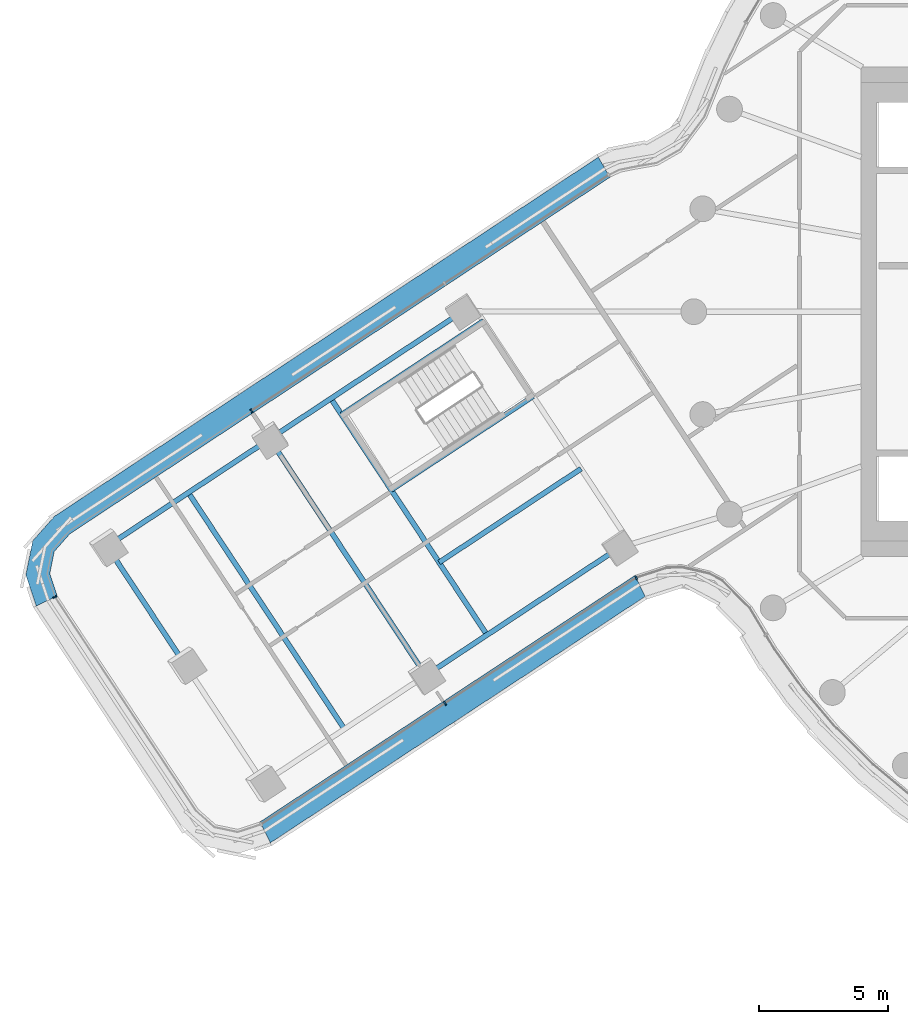
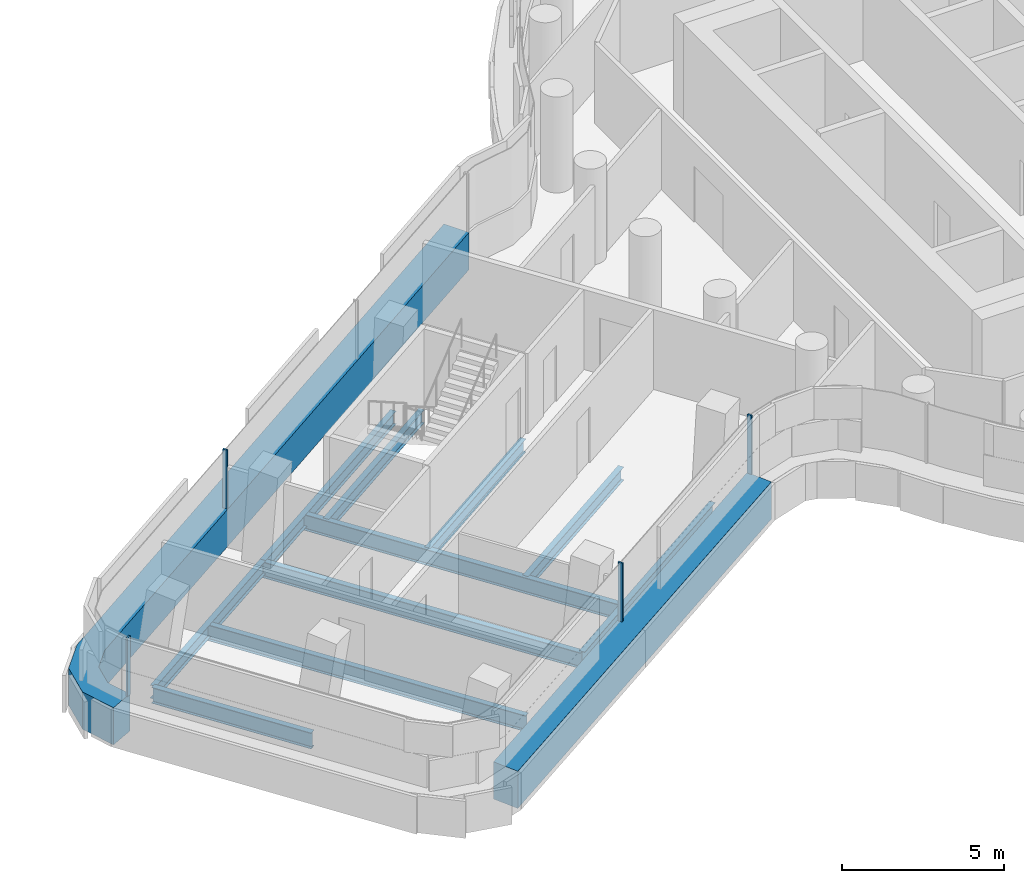
# One storey, part 8 of 35: 10 beams, 6 members, 4 elements without a shape of their own.
"""IFC4 building model written with IfcOpenShell, lengths in metres."""

import ifcopenshell
import ifcopenshell.guid

model = None  # the IFC model being written
_history = None  # IfcOwnerHistory: only IFC2X3 demands one
_inside = {}  # id of a spatial element -> (the spatial element, [elements in it])
_under = {}  # id of a project, library or spatial element -> (it, [spatial elements below it])
_declared = {}  # id of a project -> (the project, [libraries it declares])
_typed = {}  # id of a type object -> (the type object, [elements of that type])
_made_of = {}  # id of a material, layer set ... -> (it, [elements and type objects made of it])


def new_model(schema):
    """Start an empty IFC model of exactly this schema.

    Asked for "IFC4X3", IfcOpenShell would pick the latest addendum, in which some entities
    have other attributes; the version numbers below select the first issue.
    IFC2X3 requires an IfcOwnerHistory on every rooted entity: one is made here for all.
    """
    global model, _history
    if schema == "IFC4X3":
        model = ifcopenshell.file(schema_version=(4, 3, 0, 0))
    else:
        model = ifcopenshell.file(schema=schema)
    _inside.clear()
    _under.clear()
    _declared.clear()
    _typed.clear()
    _made_of.clear()
    _history = None
    if model.schema == "IFC2X3":
        org = make("IfcOrganization", Name="unknown")
        user = make(
            "IfcPersonAndOrganization",
            ThePerson=make("IfcPerson", FamilyName="unknown"),
            TheOrganization=org,
        )
        app = make(
            "IfcApplication",
            ApplicationDeveloper=org,
            Version="unknown",
            ApplicationFullName="unknown",
            ApplicationIdentifier="unknown",
        )
        _history = make(
            "IfcOwnerHistory",
            OwningUser=user,
            OwningApplication=app,
            ChangeAction="ADDED",
            CreationDate=0,
        )
    return model


def make(cls, **values):
    """One entity of the class cls with the attributes given. An attribute that is None is left unset."""
    return model.create_entity(
        cls, **{name: value for name, value in values.items() if value is not None}
    )


def rooted(cls, **values):
    """An entity with a GlobalId (a new one), such as an element, a storey or a relation."""
    return make(cls, GlobalId=ifcopenshell.guid.new(), OwnerHistory=_history, **values)


def si_unit(unit_type, name, prefix=None):
    """IfcSIUnit, for example si_unit("LENGTHUNIT", "METRE", prefix="MILLI")."""
    return make("IfcSIUnit", UnitType=unit_type, Prefix=prefix, Name=name)


def assignment(units):
    """IfcUnitAssignment: the units of a project."""
    return None if units is None else make("IfcUnitAssignment", Units=units)


def point(xyz):
    """IfcCartesianPoint."""
    return None if xyz is None else make("IfcCartesianPoint", Coordinates=xyz)


def direction(xyz):
    """IfcDirection."""
    return None if xyz is None else make("IfcDirection", DirectionRatios=xyz)


def frame(location, z_axis=None, x_axis=None):
    """IfcAxis2Placement3D, a coordinate frame: its origin and axes. An axis left out is left unset."""
    return make(
        "IfcAxis2Placement3D",
        Location=point(location),
        Axis=direction(z_axis),
        RefDirection=direction(x_axis),
    )


def frame_2d(location, x_axis=None):
    """IfcAxis2Placement2D, a coordinate frame in the plane: its origin and x axis."""
    return make(
        "IfcAxis2Placement2D", Location=point(location), RefDirection=direction(x_axis)
    )


def origin():
    """The frame at (0, 0, 0) with its axes left unset."""
    return frame((0.0, 0.0, 0.0))


def origin_2d():
    """The frame at (0, 0) in the plane with its x axis left unset."""
    return frame_2d((0.0, 0.0))


def place(relative_to, where):
    """IfcLocalPlacement: puts the frame where relative to a parent placement (None: the world)."""
    return make(
        "IfcLocalPlacement", PlacementRelTo=relative_to, RelativePlacement=where
    )


def context(
    kind, dimensions, precision=None, world=None, true_north=None, identifier=None
):
    """IfcGeometricRepresentationContext, for example the 3D "Model" context."""
    return make(
        "IfcGeometricRepresentationContext",
        ContextIdentifier=identifier,
        ContextType=kind,
        CoordinateSpaceDimension=dimensions,
        Precision=precision,
        WorldCoordinateSystem=world,
        TrueNorth=true_north,
    )


def subcontext(parent, identifier, kind, view, scale=None):
    """IfcGeometricRepresentationSubContext, for example "Body" below "Model"."""
    return make(
        "IfcGeometricRepresentationSubContext",
        ContextIdentifier=identifier,
        ContextType=kind,
        ParentContext=parent,
        TargetScale=scale,
        TargetView=view,
    )


def project(units=None, contexts=None):
    """IfcProject with its units and contexts."""
    return rooted(
        "IfcProject",
        Name="project",
        RepresentationContexts=contexts,
        UnitsInContext=assignment(units),
    )


def spatial(cls, under=None, at=None, **own):
    """A site, building, storey or space (cls), placed at a placement, below another one or the project."""
    s = rooted(cls, ObjectPlacement=at, **own)
    if under is not None:
        _under.setdefault(under.id(), (under, []))[1].append(s)
    return s


def polyline(points):
    """IfcPolyline through the points."""
    return make("IfcPolyline", Points=[point(p) for p in points])


def profile(cls, at=None, kind="AREA", **sizes):
    """A parametric profile (cls). Its sizes go by their IFC names, for example OverallWidth=200.0."""
    return make(cls, ProfileType=kind, Position=at, **sizes)


def rectangle(**sizes):
    """IfcRectangleProfileDef."""
    return profile("IfcRectangleProfileDef", **sizes)


def i_section(**sizes):
    """IfcIShapeProfileDef."""
    return profile("IfcIShapeProfileDef", **sizes)


def outline(outer, holes=None, kind="AREA"):
    """IfcArbitraryClosedProfileDef: a profile drawn as a closed curve; with holes, ...WithVoids."""
    if holes is None:
        return make("IfcArbitraryClosedProfileDef", ProfileType=kind, OuterCurve=outer)
    return make(
        "IfcArbitraryProfileDefWithVoids",
        ProfileType=kind,
        OuterCurve=outer,
        InnerCurves=holes,
    )


def extrude(swept, where, along, depth):
    """IfcExtrudedAreaSolid: the profile swept, set in the frame where, extruded along a direction by depth."""
    return make(
        "IfcExtrudedAreaSolid",
        SweptArea=swept,
        Position=where,
        ExtrudedDirection=direction(along),
        Depth=depth,
    )


def shape(context_of_items, identifier, shape_type, items):
    """IfcShapeRepresentation: the items that make up one representation, for example the "Body"."""
    return make(
        "IfcShapeRepresentation",
        ContextOfItems=context_of_items,
        RepresentationIdentifier=identifier,
        RepresentationType=shape_type,
        Items=items,
    )


def material(Name=None, Category=None):
    """IfcMaterial."""
    return make("IfcMaterial", Name=Name, Category=Category)


def layer(
    of_material, thickness, ventilated=None, Name=None, Category=None, Priority=None
):
    """IfcMaterialLayer: one layer of a wall or slab, of a material (None: an air gap)."""
    return make(
        "IfcMaterialLayer",
        Material=of_material,
        LayerThickness=thickness,
        IsVentilated=ventilated,
        Name=Name,
        Category=Category,
        Priority=Priority,
    )


def layer_set(layers, Name=None):
    """IfcMaterialLayerSet."""
    return make("IfcMaterialLayerSet", MaterialLayers=layers, LayerSetName=Name)


def material_profile(
    of_material, cross_section, Name=None, Category=None, Priority=None
):
    """IfcMaterialProfile: a cross section and its material."""
    return make(
        "IfcMaterialProfile",
        Name=Name,
        Material=of_material,
        Profile=cross_section,
        Priority=Priority,
        Category=Category,
    )


def profile_set(profiles, Name=None, composite=None):
    """IfcMaterialProfileSet."""
    return make(
        "IfcMaterialProfileSet",
        Name=Name,
        MaterialProfiles=profiles,
        CompositeProfile=composite,
    )


def made_of(thing, what):
    """Note that an element or type object is made of a material, layer set ...; save() writes the relation."""
    if what is not None:
        _made_of.setdefault(what.id(), (what, []))[1].append(thing)
    return thing


def type_object(cls, material=None, **own):
    """A type object (cls), such as IfcWallType, which elements share."""
    return made_of(rooted(cls, **own), material)


def element(
    cls,
    number,
    at=None,
    inside=None,
    cuts=None,
    type_object=None,
    material=None,
    context=None,
    identifier="Body",
    shape_type=None,
    held_by="IfcProductDefinitionShape",
    body=None,
    shapes=None,
    **own,
):
    """One element of the class cls, such as IfcWall. Its Tag is "e" and its number.

    at: its placement. inside: the storey or other place that contains it. cuts: it is an
    opening in that element (IfcRelVoidsElement). A single representation is given by context,
    identifier, shape_type and body (its items); several are given by shapes. held_by: the class
    of the entity that holds the representations. save() writes the other relations.
    """
    e = rooted(cls, Tag="e%d" % number, ObjectPlacement=at, **own)
    if body is not None:
        shapes = [shape(context, identifier, shape_type, body)]
    if shapes is not None:
        e.Representation = make(held_by, Representations=shapes)
    if inside is not None:
        _inside.setdefault(inside.id(), (inside, []))[1].append(e)
    if cuts is not None:
        rooted(
            "IfcRelVoidsElement", RelatingBuildingElement=cuts, RelatedOpeningElement=e
        )
    if type_object is not None:
        _typed.setdefault(type_object.id(), (type_object, []))[1].append(e)
    return made_of(e, material)


def aggregate(whole, parts):
    """IfcRelAggregates: a whole, such as a stair, and the parts it consists of."""
    return rooted("IfcRelAggregates", RelatingObject=whole, RelatedObjects=parts)


def save(model, path):
    """Write the relations noted so far, then the file.

    IfcRelAggregates (storeys below a building ...), IfcRelContainedInSpatialStructure (elements
    in a storey), IfcRelDefinesByType, IfcRelAssociatesMaterial and IfcRelDeclares: one each for
    every whole, place, type object, material and project.
    """
    for whole, parts in _under.values():
        aggregate(whole, parts)
    for where, things in _inside.values():
        rooted(
            "IfcRelContainedInSpatialStructure",
            RelatedElements=things,
            RelatingStructure=where,
        )
    for kind, things in _typed.values():
        rooted("IfcRelDefinesByType", RelatedObjects=things, RelatingType=kind)
    for what, things in _made_of.values():
        rooted("IfcRelAssociatesMaterial", RelatedObjects=things, RelatingMaterial=what)
    for by, libraries in _declared.values():
        rooted("IfcRelDeclares", RelatingContext=by, RelatedDefinitions=libraries)
    model.write(path)


model = new_model("IFC4")

# Units and contexts
model_context = context("Model", 3, precision=1e-05, world=origin(), true_north=direction((0.0, 1.0)))
body_context = subcontext(model_context, "Body", "Model", "MODEL_VIEW")
ifc_project = project(units=[si_unit("LENGTHUNIT", "METRE"), si_unit("AREAUNIT", "SQUARE_METRE"), si_unit("VOLUMEUNIT", "CUBIC_METRE"), si_unit("PLANEANGLEUNIT", "RADIAN"), si_unit("MASSUNIT", "GRAM", prefix="KILO")], contexts=[model_context])

# Site, building, storey
site_placement = place(None, origin())
site = spatial("IfcSite", under=ifc_project, at=site_placement, CompositionType="ELEMENT")
building_placement = place(site_placement, origin())
building = spatial("IfcBuilding", under=site, at=building_placement, Name="Tamarind Cross Interchange Tower", CompositionType="ELEMENT")
storey_placement = place(building_placement, frame((0.0, 0.0, 155.5)))
storey = spatial("IfcBuildingStorey", under=building, at=storey_placement, Name="L38", CompositionType="ELEMENT", Elevation=155.5)

# Beams
ifc_material_1 = material(Name="Steel Q355B", Category="steel")
ifc_material_profile_1 = material_profile(ifc_material_1, i_section(OverallWidth=0.198974609375, OverallDepth=0.49609375, WebThickness=0.009033203125, FlangeThickness=0.013916015625, FilletRadius=0.012939453125, at=origin_2d()), Name="HN 496x199x9x14")
ifc_profile_set_1 = profile_set([ifc_material_profile_1], Name="Steel Q355B")
beam_type_1 = type_object("IfcBeamType", Name="Composite beam HN 496x199x9x14 Q355B", PredefinedType="BEAM", material=ifc_profile_set_1)
beam_1_placement = place(storey_placement, frame((-45.78271484375, -9.111328125, -0.387939453125), z_axis=(0.83452366683, 0.550972095029, 0.0), x_axis=(-0.550972095029, 0.83452366683, 0.0)))
element("IfcBeam", 1, at=beam_1_placement, inside=storey, type_object=beam_type_1, Name="Beam W-edgeem5", PredefinedType="BEAM", context=body_context, shape_type="SweptSolid", body=[
    extrude(i_section(OverallWidth=0.198974609375, OverallDepth=0.49609375, WebThickness=0.009033203125, FlangeThickness=0.013916015625, FilletRadius=0.012939453125, at=origin_2d()), origin(), (0.0, 0.0, 1.0), 7.5673828125),
])
for number, where, z_axis, x_axis, name in (
    (2, (-39.467529296875, -4.94189453125, -0.387939453125), (0.8345250917, 0.550969936859, 0.0), (-0.550969936859, 0.8345250917, 0.0), "Beam W-edgeem6"),
    (3, (-33.406982421875, -14.12158203125, -0.387939453125), (0.8345250917, 0.550969936859, 0.0), (-0.550969936859, 0.8345250917, 0.0), "Beam W-edgeep3"),
):
    element("IfcBeam", number, at=place(storey_placement, frame(where, z_axis=z_axis, x_axis=x_axis)), inside=storey, type_object=beam_type_1, Name=name, PredefinedType="BEAM", context=body_context, shape_type="SweptSolid", body=[
        extrude(i_section(OverallWidth=0.198974609375, OverallDepth=0.49609375, WebThickness=0.009033203125, FlangeThickness=0.013916015625, FilletRadius=0.012939453125, at=origin_2d()), origin(), (0.0, 0.0, 1.0), 9.0),
    ])
for number, where, z_axis, x_axis, name in (
    (4, (-31.168212890625, -0.361083984375, -0.387939453125), (-0.83451756157, -0.55098134218, 0.0), (0.55098134218, -0.83451756157, 0.0), "Beam W-tr0"),
    (5, (-29.23974609375, -3.281982421875, -0.387939453125), (-0.83451756157, -0.55098134218, 0.0), (0.55098134218, -0.83451756157, 0.0), "Beam W-tr1"),
    (6, (-27.380126953125, -6.098388671875, -0.387939453125), (-0.834528790802, -0.550964333984, 0.0), (0.550964333984, -0.834528790802, 0.0), "Beam W-stripp"),
):
    element("IfcBeam", number, at=place(storey_placement, frame(where, z_axis=z_axis, x_axis=x_axis)), inside=storey, type_object=beam_type_1, Name=name, PredefinedType="BEAM", context=body_context, shape_type="SweptSolid", body=[
        extrude(i_section(OverallWidth=0.198974609375, OverallDepth=0.49609375, WebThickness=0.009033203125, FlangeThickness=0.013916015625, FilletRadius=0.012939453125, at=origin_2d()), origin(), (0.0, 0.0, 1.0), 6.60009765625),
    ])
ifc_material_profile_2 = material_profile(ifc_material_1, i_section(OverallWidth=0.199951171875, OverallDepth=0.60009765625, WebThickness=0.010986328125, FlangeThickness=0.01708984375, FilletRadius=0.012939453125, at=origin_2d()), Name="HN 600x200x11x17")
ifc_profile_set_2 = profile_set([ifc_material_profile_2], Name="Steel Q355B")
beam_type_2 = type_object("IfcBeamType", Name="Composite beam HN 600x200x11x17 Q355B", PredefinedType="BEAM", material=ifc_profile_set_2)
beam_2_placement = place(storey_placement, frame((-45.78271484375, -9.111328125, -0.43994140625), z_axis=(0.550965885132, -0.834527766716, 0.0), x_axis=(0.834527766716, 0.550965885132, 0.0)))
element("IfcBeam", 7, at=beam_2_placement, inside=storey, type_object=beam_type_2, Name="Beam W-tip0", PredefinedType="BEAM", context=body_context, shape_type="SweptSolid", body=[
    extrude(i_section(OverallWidth=0.199951171875, OverallDepth=0.60009765625, WebThickness=0.010986328125, FlangeThickness=0.01708984375, FilletRadius=0.012939453125, at=origin_2d()), origin(), (0.0, 0.0, 1.0), 5.5),
])
beam_3_placement = place(storey_placement, frame((-37.089111328125, -3.37158203125, -0.43994140625), z_axis=(0.550955680152, -0.834534504085, 0.0), x_axis=(0.834534504085, 0.550955680152, 0.0)))
element("IfcBeam", 8, at=beam_3_placement, inside=storey, type_object=beam_type_2, Name="Beam W-x364", PredefinedType="BEAM", context=body_context, shape_type="SweptSolid", body=[
    extrude(i_section(OverallWidth=0.199951171875, OverallDepth=0.60009765625, WebThickness=0.010986328125, FlangeThickness=0.01708984375, FilletRadius=0.012939453125, at=origin_2d()), origin(), (0.0, 0.0, 1.0), 11.0),
])
beam_4_placement = place(storey_placement, frame((-39.467529296875, -4.94189453125, -0.43994140625), z_axis=(0.550965885132, -0.834527766716, 0.0), x_axis=(0.834527766716, 0.550965885132, 0.0)))
element("IfcBeam", 9, at=beam_4_placement, inside=storey, type_object=beam_type_2, Name="Beam W-x393", PredefinedType="BEAM", context=body_context, shape_type="SweptSolid", body=[
    extrude(i_section(OverallWidth=0.199951171875, OverallDepth=0.60009765625, WebThickness=0.010986328125, FlangeThickness=0.01708984375, FilletRadius=0.012939453125, at=origin_2d()), origin(), (0.0, 0.0, 1.0), 10.999755859375),
])
beam_5_placement = place(storey_placement, frame((-42.625244140625, -7.026611328125, -0.43994140625), z_axis=(0.55098134218, -0.83451756157, 0.0), x_axis=(0.83451756157, 0.55098134218, 0.0)))
element("IfcBeam", 10, at=beam_5_placement, inside=storey, type_object=beam_type_2, Name="Beam W-x431", PredefinedType="BEAM", context=body_context, shape_type="SweptSolid", body=[
    extrude(i_section(OverallWidth=0.199951171875, OverallDepth=0.60009765625, WebThickness=0.010986328125, FlangeThickness=0.01708984375, FilletRadius=0.012939453125, at=origin_2d()), origin(), (0.0, 0.0, 1.0), 11.0),
])

# Curtain wall, member
ifc_material_2 = material(Name="Aluminium 6063-T6", Category="aluminium")
ifc_layer = layer(ifc_material_2, 0.159912109375)
ifc_layer_set = layer_set([ifc_layer], Name="Aluminium 6063-T6")
curtain_wall_type = type_object("IfcCurtainWallType", Name="Office curtain wall, 9.0 m bays", PredefinedType="NOTDEFINED", material=ifc_layer_set)
curtain_wall_1_placement = place(storey_placement, origin())
curtain_wall_1 = element("IfcCurtainWall", 11, at=curtain_wall_1_placement, inside=storey, type_object=curtain_wall_type, Name="CWS-L38-03", PredefinedType="NOTDEFINED")
ifc_material_3 = material(Name="Aluminium and insulated spandrel panel", Category="aluminium")
member_type_1 = type_object("IfcMemberType", Name="Floor-edge blade transom", PredefinedType="USERDEFINED", material=ifc_material_3)
member_1_placement = place(storey_placement, origin())
member_1 = element("IfcMember", 12, at=member_1_placement, type_object=member_type_1, Name="CWT-L38-03", ObjectType="TRANSOM", PredefinedType="USERDEFINED", context=body_context, shape_type="SweptSolid", body=[
    extrude(outline(polyline([(-26.25732421875, 5.2177734375), (-47.222412109375, -8.623779296875), (-47.829833984375, -9.308837890625), (-48.005126953125, -10.16552734375), (-47.715576171875, -11.033935546875), (-48.531982421875, -11.430908203125), (-48.935302734375, -10.22119140625), (-48.6630859375, -8.89208984375), (-47.817138671875, -7.93798828125), (-26.703857421875, 6.00146484375), (-26.25732421875, 5.2177734375)])), origin(), (0.0, 0.0, 1.0), 1.39990234375),
])

curtain_wall_2_placement = place(storey_placement, origin())
curtain_wall_2 = element("IfcCurtainWall", 13, at=curtain_wall_2_placement, inside=storey, type_object=curtain_wall_type, Name="CWS-L38-05", PredefinedType="NOTDEFINED")
member_2_placement = place(storey_placement, origin())
member_2 = element("IfcMember", 14, at=member_2_placement, type_object=member_type_1, Name="CWT-L38-05", ObjectType="TRANSOM", PredefinedType="USERDEFINED", context=body_context, shape_type="SweptSolid", body=[
    extrude(outline(polyline([(-39.839111328125, -19.806396484375), (-25.28173828125, -10.23828125), (-24.888671875, -11.056884765625), (-39.443115234375, -20.623046875), (-39.839111328125, -19.806396484375)])), origin(), (0.0, 0.0, 1.0), 1.39990234375),
])

# Member
ifc_material_profile_3 = material_profile(ifc_material_2, rectangle(XDim=0.06005859375, YDim=0.159912109375, at=origin_2d()), Name="Mullion CW1")
ifc_profile_set_3 = profile_set([ifc_material_profile_3], Name="Aluminium 6063-T6")
member_type_2 = type_object("IfcMemberType", Name="Mullion CW1", PredefinedType="MULLION", material=ifc_profile_set_3)
member_3_placement = place(storey_placement, frame((-40.173095703125, -3.849853515625, 1.39990234375), z_axis=(0.0, 0.0, 1.0), x_axis=(-0.834524900963, -0.550970225759, 0.0)))
member_3 = element("IfcMember", 15, at=member_3_placement, type_object=member_type_2, Name="CWM-L38-03-02", PredefinedType="MULLION", context=body_context, shape_type="SweptSolid", body=[
    extrude(rectangle(XDim=0.06005859375, YDim=0.159912109375, at=origin_2d()), origin(), (0.0, 0.0, 1.0), 2.210205078125),
])

aggregate(curtain_wall_1, [member_3, member_1])

# Curtain wall, member
curtain_wall_3_placement = place(storey_placement, origin())
curtain_wall_3 = element("IfcCurtainWall", 16, at=curtain_wall_3_placement, inside=storey, type_object=curtain_wall_type, Name="CWS-L38-04", PredefinedType="NOTDEFINED")
member_4_placement = place(storey_placement, frame((-47.806396484375, -11.078125, 1.39990234375), z_axis=(0.0, 0.0, 1.0), x_axis=(0.437329241463, -0.899301470343, 0.0)))
member_4 = element("IfcMember", 17, at=member_4_placement, type_object=member_type_2, Name="CWM-L38-04-00", PredefinedType="MULLION", context=body_context, shape_type="SweptSolid", body=[
    extrude(rectangle(XDim=0.06005859375, YDim=0.159912109375, at=origin_2d()), origin(), (0.0, 0.0, 1.0), 2.210205078125),
])
aggregate(curtain_wall_3, [member_4])

# Member
member_5_placement = place(storey_placement, frame((-32.658447265625, -15.20654296875, 1.39990234375), z_axis=(0.0, 0.0, 1.0), x_axis=(0.835659570214, 0.549247742562, 0.0)))
member_5 = element("IfcMember", 18, at=member_5_placement, type_object=member_type_2, Name="CWM-L38-05-01", PredefinedType="MULLION", context=body_context, shape_type="SweptSolid", body=[
    extrude(rectangle(XDim=0.06005859375, YDim=0.159912109375, at=origin_2d()), origin(), (0.0, 0.0, 1.0), 2.210205078125),
])

aggregate(curtain_wall_2, [member_5, member_2])

# Curtain wall, member
curtain_wall_4_placement = place(storey_placement, origin())
curtain_wall_4 = element("IfcCurtainWall", 19, at=curtain_wall_4_placement, inside=storey, type_object=curtain_wall_type, Name="CWS-L38-06", PredefinedType="NOTDEFINED")
member_6_placement = place(storey_placement, frame((-25.238037109375, -10.329345703125, 1.39990234375), z_axis=(0.0, 0.0, 1.0), x_axis=(0.901423638336, 0.432938129817, 0.0)))
member_6 = element("IfcMember", 20, at=member_6_placement, type_object=member_type_2, Name="CWM-L38-06-00", PredefinedType="MULLION", context=body_context, shape_type="SweptSolid", body=[
    extrude(rectangle(XDim=0.06005859375, YDim=0.159912109375, at=origin_2d()), origin(), (0.0, 0.0, 1.0), 2.210205078125),
])
aggregate(curtain_wall_4, [member_6])

save(model, "model.ifc")
